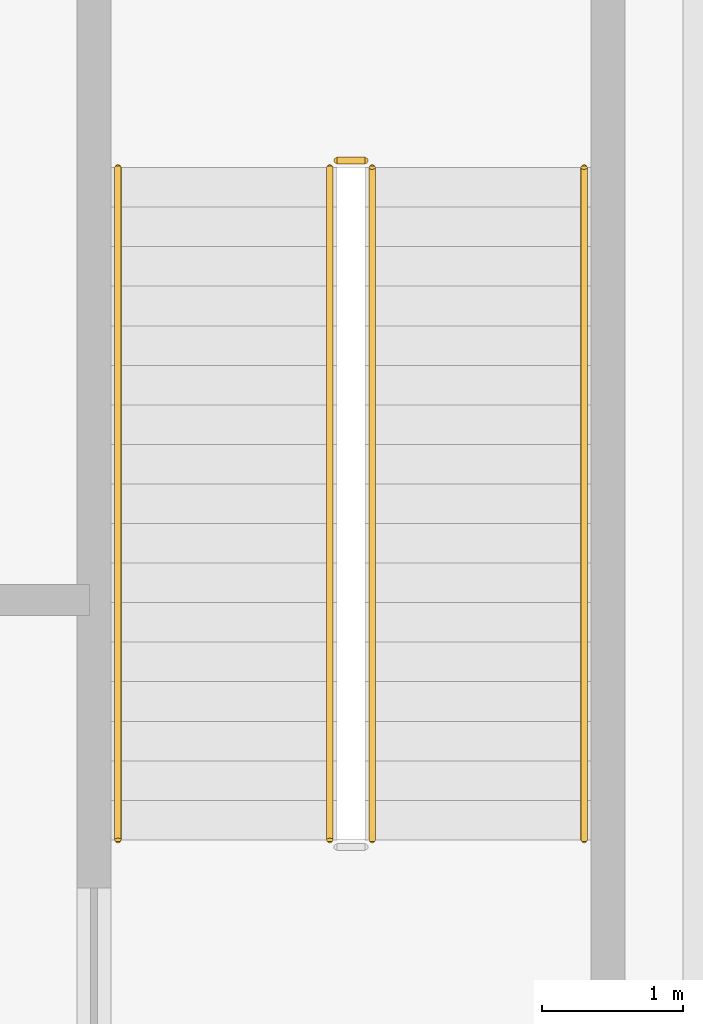
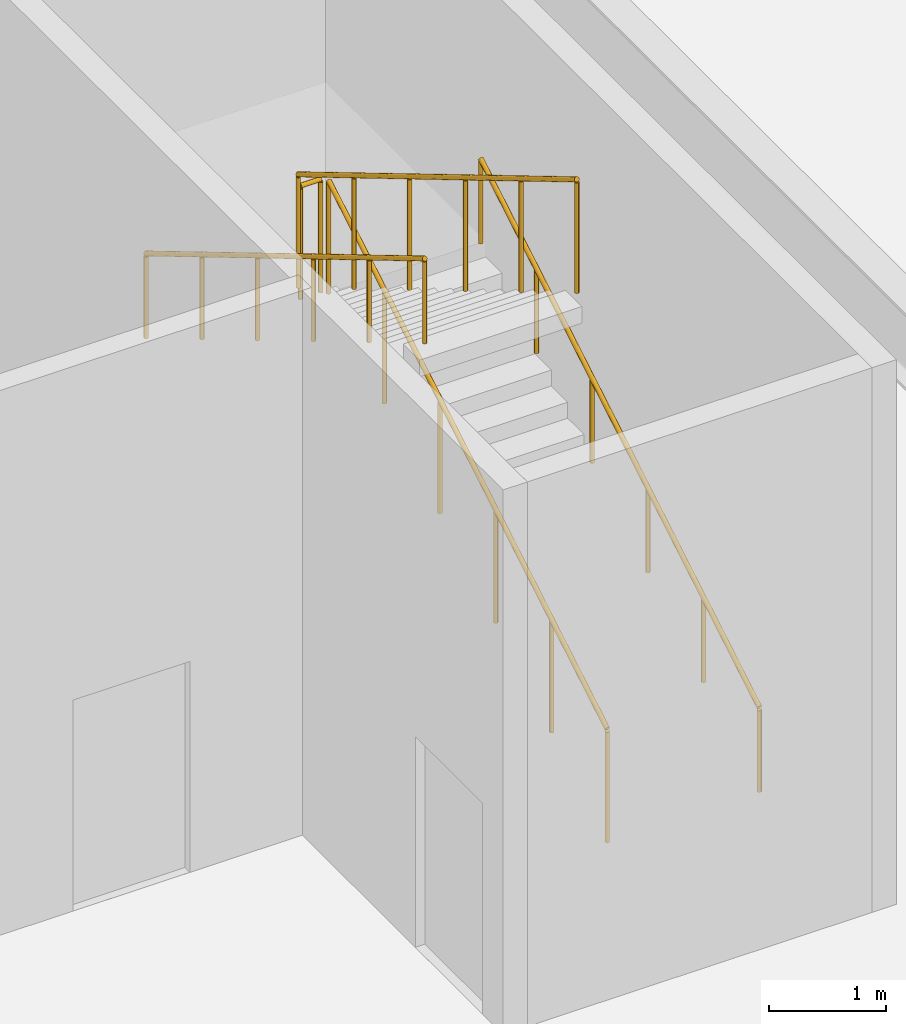
# One storey, part 18 of 20: 5 railings.
"""IFC4 building model written with IfcOpenShell, lengths in metres."""

from ifc_helpers import new_model, si_unit, direction, frame, origin, origin_2d, place, context, subcontext, project, spatial, circle, extrude, material, type_object, element, save


model = new_model("IFC4")

# Units and contexts
model_context = context("Model", 3, precision=1e-05, world=origin(), true_north=direction((0.0, 1.0)))
body_context = subcontext(model_context, "Body", "Model", "MODEL_VIEW")
ifc_project = project(units=[si_unit("LENGTHUNIT", "METRE"), si_unit("AREAUNIT", "SQUARE_METRE"), si_unit("VOLUMEUNIT", "CUBIC_METRE"), si_unit("PLANEANGLEUNIT", "RADIAN"), si_unit("MASSUNIT", "GRAM", prefix="KILO")], contexts=[model_context])

# Site, building, storey
site_placement = place(None, origin())
site = spatial("IfcSite", under=ifc_project, at=site_placement, CompositionType="ELEMENT")
building_placement = place(site_placement, origin())
building = spatial("IfcBuilding", under=site, at=building_placement, Name="Calvorn Quay Hotel", CompositionType="ELEMENT")
storey_placement = place(building_placement, origin())
storey = spatial("IfcBuildingStorey", under=building, at=storey_placement, Name="L00", CompositionType="ELEMENT", Elevation=0.0)

# Railings
ifc_material_1 = material(Name="Brushed Stainless Steel Handrail", Category="steel")
railing_type_1 = type_object("IfcRailingType", Name="RLG-HANDRAIL-900", PredefinedType="HANDRAIL", material=ifc_material_1)
railing_1_placement = place(storey_placement, frame((56.75, 45.800048828125, 0.166748046875)))
element("IfcRailing", 1, at=railing_1_placement, inside=storey, type_object=railing_type_1, Name="L00 ST-P1 stair handrail 1", PredefinedType="HANDRAIL", context=body_context, shape_type="SweptSolid", body=[
    extrude(circle(Radius=0.02392578125, at=origin_2d()), frame((0.0, 0.0, 0.8759765625), z_axis=(0.0, 0.859299802514, 0.511472237174), x_axis=(-1.0, 0.0, 0.0)), (0.0, 0.0, 1.0), 5.539306640625),
    extrude(circle(Radius=0.02099609375, at=origin_2d()), origin(), (0.0, 0.0, 1.0), 0.851806640625),
    extrude(circle(Radius=0.02099609375, at=origin_2d()), frame((0.0, 0.951904296875, 0.566650390625)), (0.0, 0.0, 1.0), 0.851806640625),
    extrude(circle(Radius=0.02099609375, at=origin_2d()), frame((0.0, 1.904052734375, 1.13330078125)), (0.0, 0.0, 1.0), 0.851806640625),
    extrude(circle(Radius=0.02099609375, at=origin_2d()), frame((0.0, 2.85595703125, 1.699951171875)), (0.0, 0.0, 1.0), 0.851806640625),
    extrude(circle(Radius=0.02099609375, at=origin_2d()), frame((0.0, 3.80810546875, 2.2666015625)), (0.0, 0.0, 1.0), 0.851806640625),
    extrude(circle(Radius=0.02099609375, at=origin_2d()), frame((0.0, 4.760009765625, 2.833251953125)), (0.0, 0.0, 1.0), 0.851806640625),
])
railing_2_placement = place(storey_placement, frame((53.449951171875, 50.56005859375, 3.166748046875)))
element("IfcRailing", 2, at=railing_2_placement, inside=storey, type_object=railing_type_1, Name="L00 ST-P1 stair handrail 2", PredefinedType="HANDRAIL", context=body_context, shape_type="SweptSolid", body=[
    extrude(circle(Radius=0.02392578125, at=origin_2d()), frame((0.0, 0.0, 0.8759765625), z_axis=(0.0, -0.859299802514, 0.511472237174), x_axis=(1.0, 0.0, 0.0)), (0.0, 0.0, 1.0), 5.539306640625),
    extrude(circle(Radius=0.02099609375, at=origin_2d()), origin(), (0.0, 0.0, 1.0), 0.851806640625),
    extrude(circle(Radius=0.02099609375, at=origin_2d()), frame((0.0, -0.951904296875, 0.566650390625)), (0.0, 0.0, 1.0), 0.851806640625),
    extrude(circle(Radius=0.02099609375, at=origin_2d()), frame((0.0, -1.904052734375, 1.13330078125)), (0.0, 0.0, 1.0), 0.851806640625),
    extrude(circle(Radius=0.02099609375, at=origin_2d()), frame((0.0, -2.85595703125, 1.699951171875)), (0.0, 0.0, 1.0), 0.851806640625),
    extrude(circle(Radius=0.02099609375, at=origin_2d()), frame((0.0, -3.80810546875, 2.2666015625)), (0.0, 0.0, 1.0), 0.851806640625),
    extrude(circle(Radius=0.02099609375, at=origin_2d()), frame((0.0, -4.760009765625, 2.833251953125)), (0.0, 0.0, 1.0), 0.851806640625),
])
ifc_material_2 = material(Name="Painted Galvanised Steel Balustrade", Category="steel")
railing_type_2 = type_object("IfcRailingType", Name="RLG-STAIR-GUARD-1120", PredefinedType="GUARDRAIL", material=ifc_material_2)
railing_3_placement = place(storey_placement, frame((55.25, 45.800048828125, 0.166748046875)))
element("IfcRailing", 3, at=railing_3_placement, inside=storey, type_object=railing_type_2, Name="L00 ST-P1 stair guard 1", PredefinedType="GUARDRAIL", context=body_context, shape_type="SweptSolid", body=[
    extrude(circle(Radius=0.02392578125, at=origin_2d()), frame((0.0, 0.0, 1.17578125), z_axis=(0.0, 0.859299802514, 0.511472237174), x_axis=(-1.0, 0.0, 0.0)), (0.0, 0.0, 1.0), 5.539306640625),
    extrude(circle(Radius=0.02099609375, at=origin_2d()), origin(), (0.0, 0.0, 1.0), 1.15185546875),
    extrude(circle(Radius=0.02099609375, at=origin_2d()), frame((0.0, 0.951904296875, 0.566650390625)), (0.0, 0.0, 1.0), 1.15185546875),
    extrude(circle(Radius=0.02099609375, at=origin_2d()), frame((0.0, 1.904052734375, 1.13330078125)), (0.0, 0.0, 1.0), 1.15185546875),
    extrude(circle(Radius=0.02099609375, at=origin_2d()), frame((0.0, 2.85595703125, 1.699951171875)), (0.0, 0.0, 1.0), 1.15185546875),
    extrude(circle(Radius=0.02099609375, at=origin_2d()), frame((0.0, 3.80810546875, 2.2666015625)), (0.0, 0.0, 1.0), 1.15185546875),
    extrude(circle(Radius=0.02099609375, at=origin_2d()), frame((0.0, 4.760009765625, 2.833251953125)), (0.0, 0.0, 1.0), 1.15185546875),
])
railing_4_placement = place(storey_placement, frame((55.199951171875, 50.610107421875, 3.0)))
element("IfcRailing", 4, at=railing_4_placement, inside=storey, type_object=railing_type_2, Name="L00 ST-P1 stair guard 2", PredefinedType="GUARDRAIL", context=body_context, shape_type="SweptSolid", body=[
    extrude(circle(Radius=0.02392578125, at=origin_2d()), frame((0.0, 0.0, 1.17578125), z_axis=(-1.0, 0.0, 0.0), x_axis=(0.0, -1.0, 0.0)), (0.0, 0.0, 1.0), 0.199951171875),
    extrude(circle(Radius=0.02099609375, at=origin_2d()), origin(), (0.0, 0.0, 1.0), 1.15185546875),
    extrude(circle(Radius=0.02099609375, at=origin_2d()), frame((-0.199951171875, 0.0, 0.0)), (0.0, 0.0, 1.0), 1.15185546875),
])
railing_5_placement = place(storey_placement, frame((54.949951171875, 50.56005859375, 3.166748046875)))
element("IfcRailing", 5, at=railing_5_placement, inside=storey, type_object=railing_type_2, Name="L00 ST-P1 stair guard 3", PredefinedType="GUARDRAIL", context=body_context, shape_type="SweptSolid", body=[
    extrude(circle(Radius=0.02392578125, at=origin_2d()), frame((0.0, 0.0, 1.17578125), z_axis=(0.0, -0.859299802514, 0.511472237174), x_axis=(1.0, 0.0, 0.0)), (0.0, 0.0, 1.0), 5.539306640625),
    extrude(circle(Radius=0.02099609375, at=origin_2d()), origin(), (0.0, 0.0, 1.0), 1.15185546875),
    extrude(circle(Radius=0.02099609375, at=origin_2d()), frame((0.0, -0.951904296875, 0.566650390625)), (0.0, 0.0, 1.0), 1.15185546875),
    extrude(circle(Radius=0.02099609375, at=origin_2d()), frame((0.0, -1.904052734375, 1.13330078125)), (0.0, 0.0, 1.0), 1.15185546875),
    extrude(circle(Radius=0.02099609375, at=origin_2d()), frame((0.0, -2.85595703125, 1.699951171875)), (0.0, 0.0, 1.0), 1.15185546875),
    extrude(circle(Radius=0.02099609375, at=origin_2d()), frame((0.0, -3.80810546875, 2.2666015625)), (0.0, 0.0, 1.0), 1.15185546875),
    extrude(circle(Radius=0.02099609375, at=origin_2d()), frame((0.0, -4.760009765625, 2.833251953125)), (0.0, 0.0, 1.0), 1.15185546875),
])

save(model, "model.ifc")
